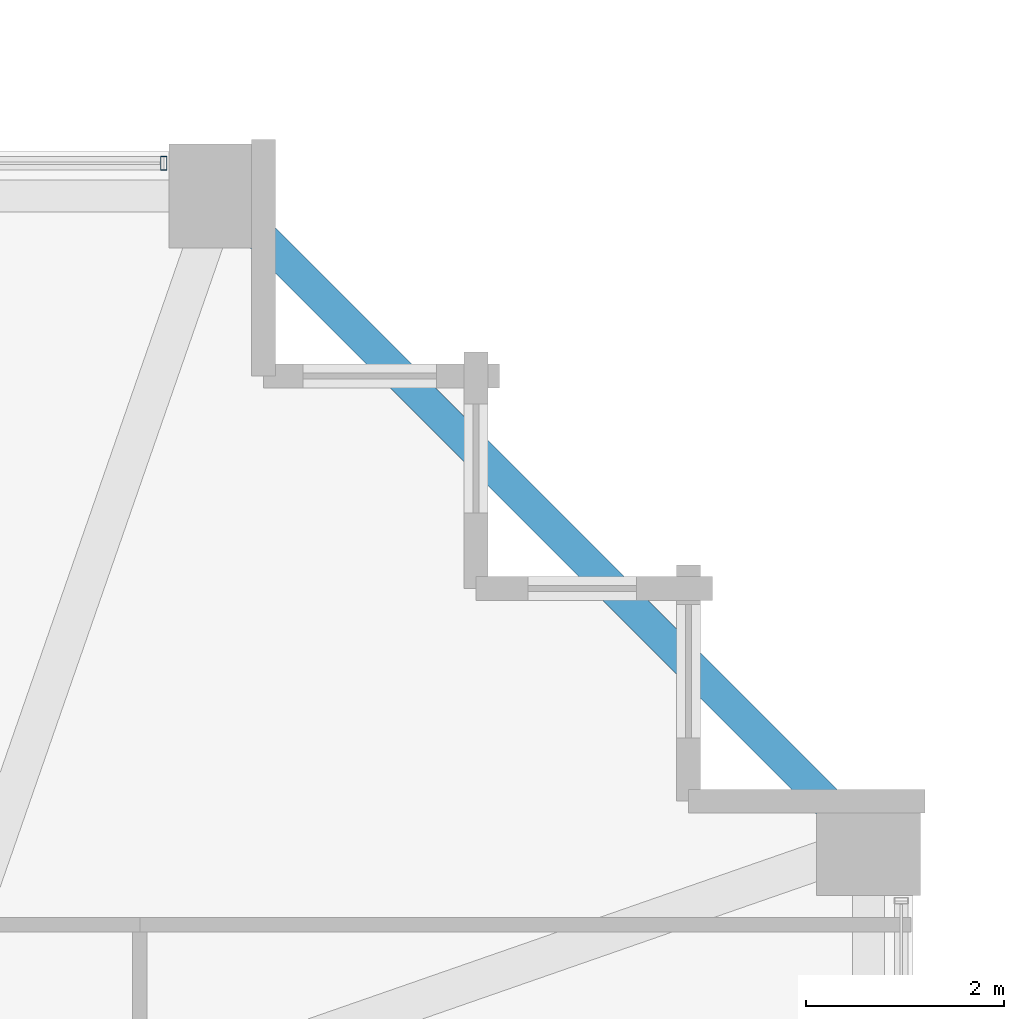
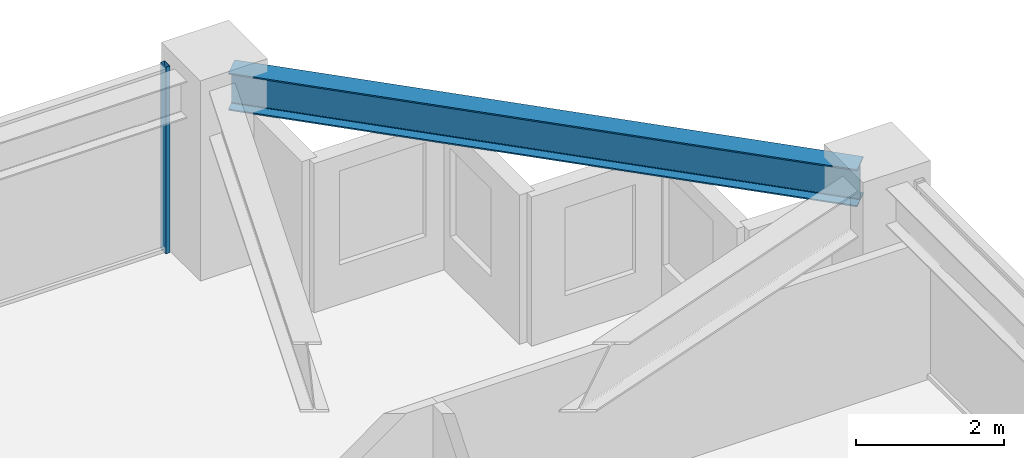
# One storey, part 26 of 38: 1 beam, 1 member, 1 element without a shape of its own.
"""IFC4 building model written with IfcOpenShell, lengths in metres."""

from ifc_helpers import new_model, si_unit, direction, frame, origin, origin_2d, place, context, subcontext, project, spatial, hollow_rectangle, i_section, extrude, material, material_profile, profile_set, type_object, element, aggregate, save


model = new_model("IFC4")

# Units and contexts
model_context = context("Model", 3, precision=1e-05, world=origin(), true_north=direction((0.0, 1.0)))
body_context = subcontext(model_context, "Body", "Model", "MODEL_VIEW")
ifc_project = project(units=[si_unit("LENGTHUNIT", "METRE"), si_unit("AREAUNIT", "SQUARE_METRE"), si_unit("VOLUMEUNIT", "CUBIC_METRE"), si_unit("PLANEANGLEUNIT", "RADIAN"), si_unit("MASSUNIT", "GRAM", prefix="KILO")], contexts=[model_context])

# Site, building, storey
site_placement = place(None, origin())
site = spatial("IfcSite", under=ifc_project, at=site_placement, CompositionType="ELEMENT")
building_placement = place(site_placement, origin())
building = spatial("IfcBuilding", under=site, at=building_placement, Name="Kolvaren Belvedere", CompositionType="ELEMENT")
storey_placement = place(building_placement, frame((0.0, 0.0, 78.800048828125)))
storey = spatial("IfcBuildingStorey", under=building, at=storey_placement, Name="L22", CompositionType="ELEMENT", Elevation=78.800048828125)

# Beam
ifc_material_1 = material(Name="Structural steel ASTM A992 Grade 50", Category="steel")
ifc_material_profile_1 = material_profile(ifc_material_1, i_section(OverallWidth=0.324951171875, OverallDepth=0.615966796875, WebThickness=0.013916015625, FlangeThickness=0.021484375, FilletRadius=0.02001953125, at=origin_2d()), Name="W24X117")
ifc_profile_set_1 = profile_set([ifc_material_profile_1], Name="Structural steel ASTM A992 Grade 50")
beam_type = type_object("IfcBeamType", Name="BM-SPAN-W24X117", PredefinedType="SPANDREL", material=ifc_profile_set_1)
beam_placement = place(storey_placement, frame((19.782958984375, 13.567138671875, 2.77197265625), z_axis=(-0.707106781187, 0.707106781187, 0.0), x_axis=(-0.707106781187, -0.707106781187, 0.0)))
element("IfcBeam", 1, at=beam_placement, inside=storey, type_object=beam_type, Name="L22 Perimeter Spandrel E4-N4", PredefinedType="SPANDREL", context=body_context, shape_type="SweptSolid", body=[
    extrude(i_section(OverallWidth=0.324951171875, OverallDepth=0.615966796875, WebThickness=0.013916015625, FlangeThickness=0.021484375, FilletRadius=0.02001953125, at=origin_2d()), origin(), (0.0, 0.0, 1.0), 8.79052734375),
])

# Curtain wall, member
ifc_material_2 = material(Name="Anodised pale-metal aluminium AA 6063-T6", Category="aluminium")
curtain_wall_type = type_object("IfcCurtainWallType", Name="CW-Z2-MID", PredefinedType="NOTDEFINED", material=ifc_material_2)
curtain_wall_placement = place(storey_placement, origin())
curtain_wall = element("IfcCurtainWall", 2, at=curtain_wall_placement, inside=storey, type_object=curtain_wall_type, Name="L22 Unitised Curtain Wall FCW-L22-N2-B2", PredefinedType="NOTDEFINED")
ifc_material_3 = material(Name="Anodised pale-metal aluminium AA 6063-T6", Category="aluminium")
ifc_material_profile_2 = material_profile(ifc_material_3, hollow_rectangle(XDim=0.06494140625, YDim=0.139892578125, WallThickness=0.00390625, at=origin_2d()), Name="ALU-MUL-140X65")
ifc_profile_set_2 = profile_set([ifc_material_profile_2], Name="Anodised pale-metal aluminium AA 6063-T6")
member_type = type_object("IfcMemberType", Name="CW-MUL-140", PredefinedType="MULLION", material=ifc_profile_set_2)
member_placement = place(storey_placement, frame((12.822509765625, 20.280029296875, 0.0), z_axis=(0.0, 0.0, 1.0), x_axis=(1.0, 0.0, 0.0)))
member = element("IfcMember", 3, at=member_placement, type_object=member_type, Name="FCW-L22-N2-B2 Unitised Mullion 3", PredefinedType="MULLION", context=body_context, shape_type="SweptSolid", body=[
    extrude(hollow_rectangle(XDim=0.06494140625, YDim=0.139892578125, WallThickness=0.00390625, at=origin_2d()), origin(), (0.0, 0.0, 1.0), 3.079833984375),
])
aggregate(curtain_wall, [member])

save(model, "model.ifc")
